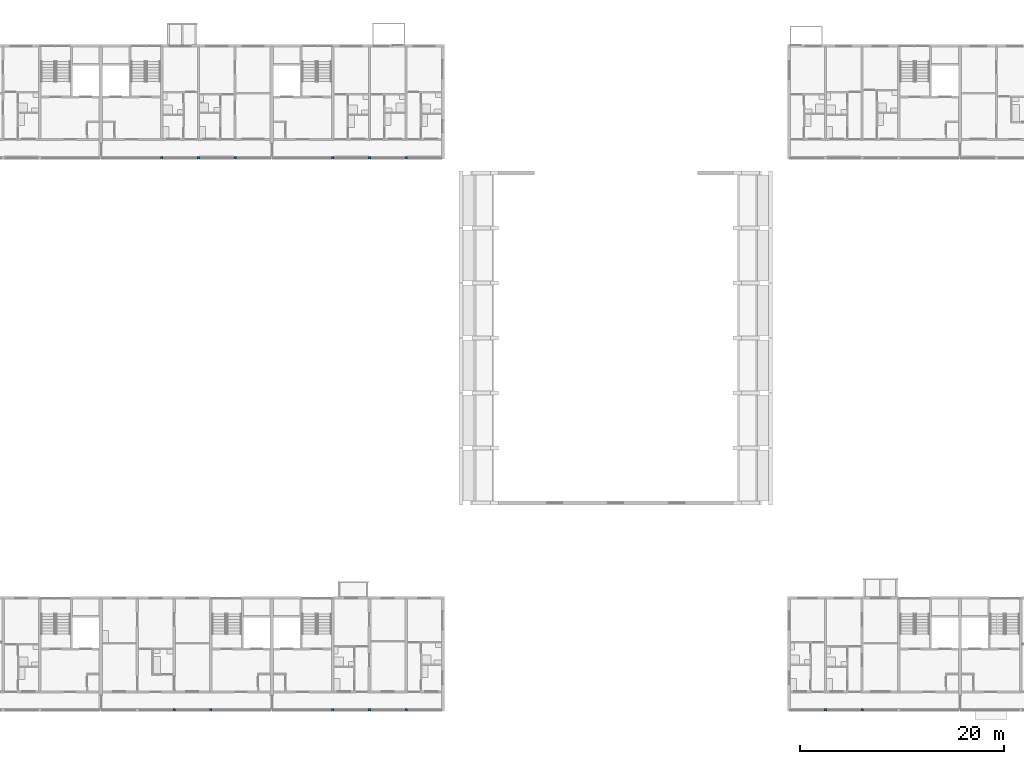
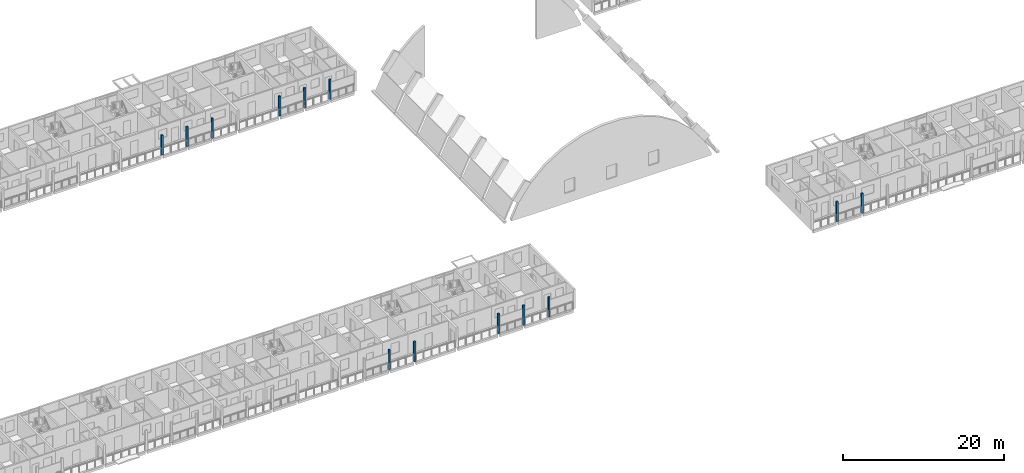
# One storey, part 2 of 100: 13 columns.
"""IFC4 building model written with IfcOpenShell, lengths in metres."""

from ifc_helpers import new_model, si_unit, direction, frame, origin, origin_2d, place, context, subcontext, project, spatial, rectangle, extrude, material, material_profile, profile_set, type_object, element, save


model = new_model("IFC4")

# Units and contexts
model_context = context("Model", 3, precision=1e-05, world=origin(), true_north=direction((0.0, 1.0)))
body_context = subcontext(model_context, "Body", "Model", "MODEL_VIEW")
ifc_project = project(units=[si_unit("LENGTHUNIT", "METRE"), si_unit("AREAUNIT", "SQUARE_METRE"), si_unit("VOLUMEUNIT", "CUBIC_METRE"), si_unit("PLANEANGLEUNIT", "RADIAN"), si_unit("MASSUNIT", "GRAM", prefix="KILO")], contexts=[model_context])

# Site, building, storey
site_placement = place(None, origin())
site = spatial("IfcSite", under=ifc_project, at=site_placement, CompositionType="ELEMENT")
building_placement = place(site_placement, origin())
building = spatial("IfcBuilding", under=site, at=building_placement, Name="Ridgestep Commons", CompositionType="ELEMENT")
storey_placement = place(building_placement, frame((0.0, 0.0, 9.0)))
storey = spatial("IfcBuildingStorey", under=building, at=storey_placement, Name="L03", CompositionType="ELEMENT", Elevation=9.0)

# Columns
ifc_material = material(Name="Precast concrete C40/50", Category="concrete")
ifc_material_profile = material_profile(ifc_material, rectangle(XDim=0.25, YDim=0.25, at=origin_2d()), Name="PC 250x250")
ifc_profile_set = profile_set([ifc_material_profile], Name="Precast concrete C40/50")
column_type = type_object("IfcColumnType", Name="Loggia column 250 x 250", PredefinedType="COLUMN", material=ifc_profile_set)
for number, where, z_axis, x_axis, name in (
    (1, (86.39990234375, 11.875, 0.0), (0.0, 0.0, 1.0), (1.0, 0.0, 0.0), "Loggia column A L03"),
    (2, (90.0, 11.875, 0.0), (0.0, 0.0, 1.0), (1.0, 0.0, 0.0), "Loggia column A L03"),
    (3, (102.0, 11.875, 0.0), (0.0, 0.0, 1.0), (1.0, 0.0, 0.0), "Loggia column A L03"),
    (4, (105.60009765625, 11.875, 0.0), (0.0, 0.0, 1.0), (1.0, 0.0, 0.0), "Loggia column A L03"),
    (5, (109.199951171875, 11.875, 0.0), (0.0, 0.0, 1.0), (1.0, 0.0, 0.0), "Loggia column A L03"),
    (6, (85.199951171875, 66.125, 0.0), (0.0, 0.0, 1.0), (1.0, 0.0, 0.0), "Loggia column B L03"),
    (7, (88.800048828125, 66.125, 0.0), (0.0, 0.0, 1.0), (1.0, 0.0, 0.0), "Loggia column B L03"),
    (8, (92.39990234375, 66.125, 0.0), (0.0, 0.0, 1.0), (1.0, 0.0, 0.0), "Loggia column B L03"),
    (9, (102.0, 66.125, 0.0), (0.0, 0.0, 1.0), (1.0, 0.0, 0.0), "Loggia column B L03"),
    (10, (105.60009765625, 66.125, 0.0), (0.0, 0.0, 1.0), (1.0, 0.0, 0.0), "Loggia column B L03"),
    (11, (109.199951171875, 66.125, 0.0), (0.0, 0.0, 1.0), (1.0, 0.0, 0.0), "Loggia column B L03"),
    (12, (150.39990234375, 11.875, 0.0), (0.0, 0.0, 1.0), (1.0, 0.0, 0.0), "Loggia column D L03"),
    (13, (154.0, 11.875, 0.0), (0.0, 0.0, 1.0), (1.0, 0.0, 0.0), "Loggia column D L03"),
):
    element("IfcColumn", number, at=place(storey_placement, frame(where, z_axis=z_axis, x_axis=x_axis)), inside=storey, type_object=column_type, Name=name, PredefinedType="COLUMN", context=body_context, shape_type="SweptSolid", body=[
        extrude(rectangle(XDim=0.25, YDim=0.25, at=origin_2d()), origin(), (0.0, 0.0, 1.0), 3.0),
    ])

save(model, "model.ifc")
